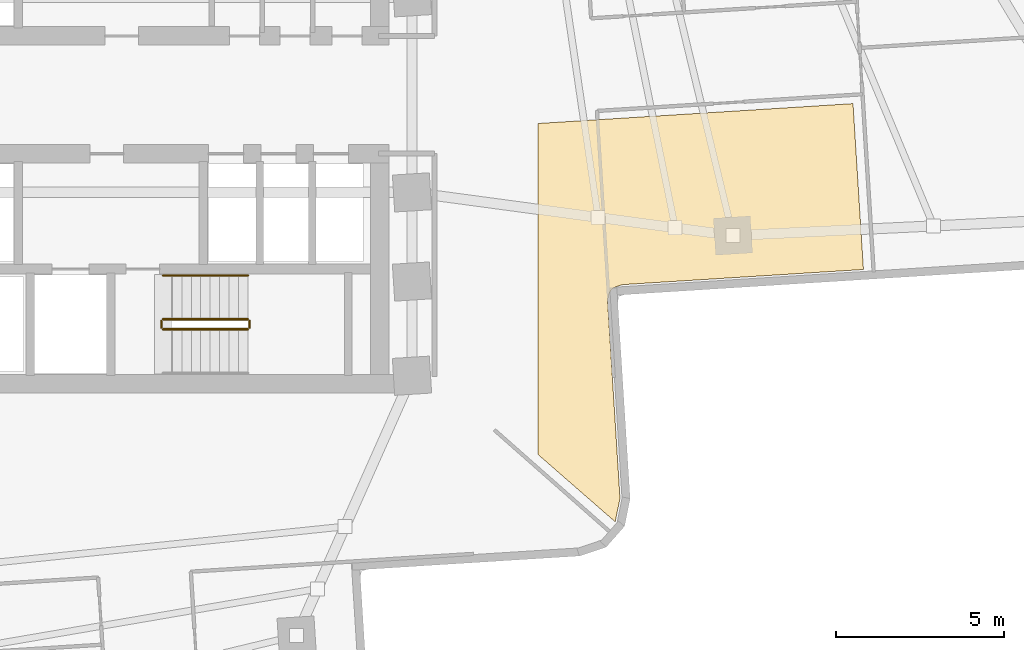
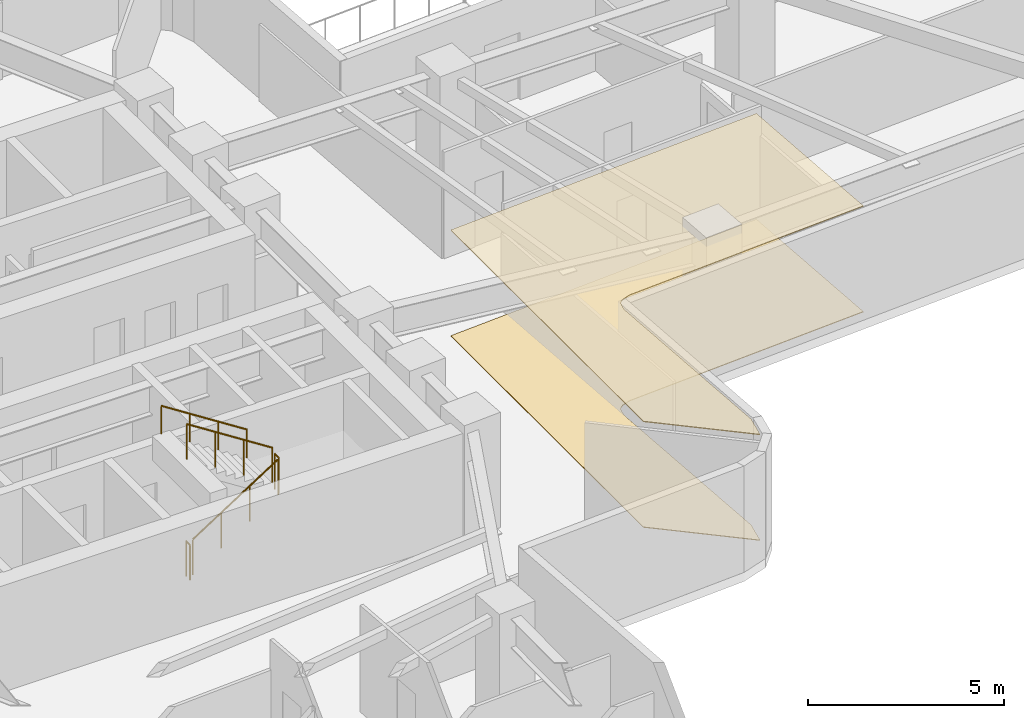
# One storey, part 14 of 16: 5 railings, 2 coverings.
"""IFC4 building model written with IfcOpenShell, lengths in metres."""

import ifcopenshell
import ifcopenshell.guid

model = None  # the IFC model being written
_history = None  # IfcOwnerHistory: only IFC2X3 demands one
_inside = {}  # id of a spatial element -> (the spatial element, [elements in it])
_under = {}  # id of a project, library or spatial element -> (it, [spatial elements below it])
_declared = {}  # id of a project -> (the project, [libraries it declares])
_typed = {}  # id of a type object -> (the type object, [elements of that type])
_made_of = {}  # id of a material, layer set ... -> (it, [elements and type objects made of it])


def new_model(schema):
    """Start an empty IFC model of exactly this schema.

    Asked for "IFC4X3", IfcOpenShell would pick the latest addendum, in which some entities
    have other attributes; the version numbers below select the first issue.
    IFC2X3 requires an IfcOwnerHistory on every rooted entity: one is made here for all.
    """
    global model, _history
    if schema == "IFC4X3":
        model = ifcopenshell.file(schema_version=(4, 3, 0, 0))
    else:
        model = ifcopenshell.file(schema=schema)
    _inside.clear()
    _under.clear()
    _declared.clear()
    _typed.clear()
    _made_of.clear()
    _history = None
    if model.schema == "IFC2X3":
        org = make("IfcOrganization", Name="unknown")
        user = make(
            "IfcPersonAndOrganization",
            ThePerson=make("IfcPerson", FamilyName="unknown"),
            TheOrganization=org,
        )
        app = make(
            "IfcApplication",
            ApplicationDeveloper=org,
            Version="unknown",
            ApplicationFullName="unknown",
            ApplicationIdentifier="unknown",
        )
        _history = make(
            "IfcOwnerHistory",
            OwningUser=user,
            OwningApplication=app,
            ChangeAction="ADDED",
            CreationDate=0,
        )
    return model


def make(cls, **values):
    """One entity of the class cls with the attributes given. An attribute that is None is left unset."""
    return model.create_entity(
        cls, **{name: value for name, value in values.items() if value is not None}
    )


def rooted(cls, **values):
    """An entity with a GlobalId (a new one), such as an element, a storey or a relation."""
    return make(cls, GlobalId=ifcopenshell.guid.new(), OwnerHistory=_history, **values)


def si_unit(unit_type, name, prefix=None):
    """IfcSIUnit, for example si_unit("LENGTHUNIT", "METRE", prefix="MILLI")."""
    return make("IfcSIUnit", UnitType=unit_type, Prefix=prefix, Name=name)


def assignment(units):
    """IfcUnitAssignment: the units of a project."""
    return None if units is None else make("IfcUnitAssignment", Units=units)


def point(xyz):
    """IfcCartesianPoint."""
    return None if xyz is None else make("IfcCartesianPoint", Coordinates=xyz)


def direction(xyz):
    """IfcDirection."""
    return None if xyz is None else make("IfcDirection", DirectionRatios=xyz)


def frame(location, z_axis=None, x_axis=None):
    """IfcAxis2Placement3D, a coordinate frame: its origin and axes. An axis left out is left unset."""
    return make(
        "IfcAxis2Placement3D",
        Location=point(location),
        Axis=direction(z_axis),
        RefDirection=direction(x_axis),
    )


def frame_2d(location, x_axis=None):
    """IfcAxis2Placement2D, a coordinate frame in the plane: its origin and x axis."""
    return make(
        "IfcAxis2Placement2D", Location=point(location), RefDirection=direction(x_axis)
    )


def origin():
    """The frame at (0, 0, 0) with its axes left unset."""
    return frame((0.0, 0.0, 0.0))


def origin_2d():
    """The frame at (0, 0) in the plane with its x axis left unset."""
    return frame_2d((0.0, 0.0))


def place(relative_to, where):
    """IfcLocalPlacement: puts the frame where relative to a parent placement (None: the world)."""
    return make(
        "IfcLocalPlacement", PlacementRelTo=relative_to, RelativePlacement=where
    )


def context(
    kind, dimensions, precision=None, world=None, true_north=None, identifier=None
):
    """IfcGeometricRepresentationContext, for example the 3D "Model" context."""
    return make(
        "IfcGeometricRepresentationContext",
        ContextIdentifier=identifier,
        ContextType=kind,
        CoordinateSpaceDimension=dimensions,
        Precision=precision,
        WorldCoordinateSystem=world,
        TrueNorth=true_north,
    )


def subcontext(parent, identifier, kind, view, scale=None):
    """IfcGeometricRepresentationSubContext, for example "Body" below "Model"."""
    return make(
        "IfcGeometricRepresentationSubContext",
        ContextIdentifier=identifier,
        ContextType=kind,
        ParentContext=parent,
        TargetScale=scale,
        TargetView=view,
    )


def project(units=None, contexts=None):
    """IfcProject with its units and contexts."""
    return rooted(
        "IfcProject",
        Name="project",
        RepresentationContexts=contexts,
        UnitsInContext=assignment(units),
    )


def spatial(cls, under=None, at=None, **own):
    """A site, building, storey or space (cls), placed at a placement, below another one or the project."""
    s = rooted(cls, ObjectPlacement=at, **own)
    if under is not None:
        _under.setdefault(under.id(), (under, []))[1].append(s)
    return s


def polyline(points):
    """IfcPolyline through the points."""
    return make("IfcPolyline", Points=[point(p) for p in points])


def profile(cls, at=None, kind="AREA", **sizes):
    """A parametric profile (cls). Its sizes go by their IFC names, for example OverallWidth=200.0."""
    return make(cls, ProfileType=kind, Position=at, **sizes)


def circle(**sizes):
    """IfcCircleProfileDef."""
    return profile("IfcCircleProfileDef", **sizes)


def outline(outer, holes=None, kind="AREA"):
    """IfcArbitraryClosedProfileDef: a profile drawn as a closed curve; with holes, ...WithVoids."""
    if holes is None:
        return make("IfcArbitraryClosedProfileDef", ProfileType=kind, OuterCurve=outer)
    return make(
        "IfcArbitraryProfileDefWithVoids",
        ProfileType=kind,
        OuterCurve=outer,
        InnerCurves=holes,
    )


def extrude(swept, where, along, depth):
    """IfcExtrudedAreaSolid: the profile swept, set in the frame where, extruded along a direction by depth."""
    return make(
        "IfcExtrudedAreaSolid",
        SweptArea=swept,
        Position=where,
        ExtrudedDirection=direction(along),
        Depth=depth,
    )


def shape(context_of_items, identifier, shape_type, items):
    """IfcShapeRepresentation: the items that make up one representation, for example the "Body"."""
    return make(
        "IfcShapeRepresentation",
        ContextOfItems=context_of_items,
        RepresentationIdentifier=identifier,
        RepresentationType=shape_type,
        Items=items,
    )


def material(Name=None, Category=None):
    """IfcMaterial."""
    return make("IfcMaterial", Name=Name, Category=Category)


def layer(
    of_material, thickness, ventilated=None, Name=None, Category=None, Priority=None
):
    """IfcMaterialLayer: one layer of a wall or slab, of a material (None: an air gap)."""
    return make(
        "IfcMaterialLayer",
        Material=of_material,
        LayerThickness=thickness,
        IsVentilated=ventilated,
        Name=Name,
        Category=Category,
        Priority=Priority,
    )


def layer_set(layers, Name=None):
    """IfcMaterialLayerSet."""
    return make("IfcMaterialLayerSet", MaterialLayers=layers, LayerSetName=Name)


def made_of(thing, what):
    """Note that an element or type object is made of a material, layer set ...; save() writes the relation."""
    if what is not None:
        _made_of.setdefault(what.id(), (what, []))[1].append(thing)
    return thing


def type_object(cls, material=None, **own):
    """A type object (cls), such as IfcWallType, which elements share."""
    return made_of(rooted(cls, **own), material)


def element(
    cls,
    number,
    at=None,
    inside=None,
    cuts=None,
    type_object=None,
    material=None,
    context=None,
    identifier="Body",
    shape_type=None,
    held_by="IfcProductDefinitionShape",
    body=None,
    shapes=None,
    **own,
):
    """One element of the class cls, such as IfcWall. Its Tag is "e" and its number.

    at: its placement. inside: the storey or other place that contains it. cuts: it is an
    opening in that element (IfcRelVoidsElement). A single representation is given by context,
    identifier, shape_type and body (its items); several are given by shapes. held_by: the class
    of the entity that holds the representations. save() writes the other relations.
    """
    e = rooted(cls, Tag="e%d" % number, ObjectPlacement=at, **own)
    if body is not None:
        shapes = [shape(context, identifier, shape_type, body)]
    if shapes is not None:
        e.Representation = make(held_by, Representations=shapes)
    if inside is not None:
        _inside.setdefault(inside.id(), (inside, []))[1].append(e)
    if cuts is not None:
        rooted(
            "IfcRelVoidsElement", RelatingBuildingElement=cuts, RelatedOpeningElement=e
        )
    if type_object is not None:
        _typed.setdefault(type_object.id(), (type_object, []))[1].append(e)
    return made_of(e, material)


def aggregate(whole, parts):
    """IfcRelAggregates: a whole, such as a stair, and the parts it consists of."""
    return rooted("IfcRelAggregates", RelatingObject=whole, RelatedObjects=parts)


def save(model, path):
    """Write the relations noted so far, then the file.

    IfcRelAggregates (storeys below a building ...), IfcRelContainedInSpatialStructure (elements
    in a storey), IfcRelDefinesByType, IfcRelAssociatesMaterial and IfcRelDeclares: one each for
    every whole, place, type object, material and project.
    """
    for whole, parts in _under.values():
        aggregate(whole, parts)
    for where, things in _inside.values():
        rooted(
            "IfcRelContainedInSpatialStructure",
            RelatedElements=things,
            RelatingStructure=where,
        )
    for kind, things in _typed.values():
        rooted("IfcRelDefinesByType", RelatedObjects=things, RelatingType=kind)
    for what, things in _made_of.values():
        rooted("IfcRelAssociatesMaterial", RelatedObjects=things, RelatingMaterial=what)
    for by, libraries in _declared.values():
        rooted("IfcRelDeclares", RelatingContext=by, RelatedDefinitions=libraries)
    model.write(path)


model = new_model("IFC4")

# Units and contexts
model_context = context("Model", 3, precision=1e-05, world=origin(), true_north=direction((0.0, 1.0)))
body_context = subcontext(model_context, "Body", "Model", "MODEL_VIEW")
ifc_project = project(units=[si_unit("LENGTHUNIT", "METRE"), si_unit("AREAUNIT", "SQUARE_METRE"), si_unit("VOLUMEUNIT", "CUBIC_METRE"), si_unit("PLANEANGLEUNIT", "RADIAN"), si_unit("MASSUNIT", "GRAM", prefix="KILO")], contexts=[model_context])

# Site, building, storey
site_placement = place(None, origin())
site = spatial("IfcSite", under=ifc_project, at=site_placement, CompositionType="ELEMENT")
building_placement = place(site_placement, origin())
building = spatial("IfcBuilding", under=site, at=building_placement, Name="Solmarez Civic Tower", CompositionType="ELEMENT")
storey_placement = place(building_placement, frame((0.0, 0.0, 53.280029296875)))
storey = spatial("IfcBuildingStorey", under=building, at=storey_placement, Name="L13", CompositionType="ELEMENT", Elevation=53.280029296875)

# Coverings
ifc_material_1 = material(Name="Perforated Mineral-Fibre Acoustic Ceiling")
ifc_layer_1 = layer(ifc_material_1, 0.02490234375)
ifc_layer_set_1 = layer_set([ifc_layer_1], Name="Perforated Mineral-Fibre Acoustic Ceiling")
covering_type_1 = type_object("IfcCoveringType", Name="COV-CEIL-ACOUSTIC", PredefinedType="CEILING", material=ifc_layer_set_1)
covering_1_placement = place(storey_placement, frame((0.0, 0.0, 3.294921875)))
element("IfcCovering", 1, at=covering_1_placement, inside=storey, type_object=covering_type_1, Name="L13 Suspended Acoustic Ceiling 1", PredefinedType="CEILING", context=body_context, shape_type="SweptSolid", body=[
    extrude(outline(polyline([(12.60009765625, -0.85107421875), (12.60009765625, -10.695068359375), (14.887939453125, -12.68994140625), (14.89306640625, -12.68408203125), (15.032958984375, -11.989990234375), (14.6669921875, -6.181884765625), (14.6669921875, -6.16796875), (14.6669921875, -6.154052734375), (14.6689453125, -6.123046875), (14.669921875, -6.115966796875), (14.672119140625, -6.10302734375), (14.7060546875, -5.93505859375), (14.708984375, -5.926025390625), (14.7109375, -5.91796875), (14.7119140625, -5.910888671875), (14.714111328125, -5.904052734375), (14.722900390625, -5.87890625), (14.735107421875, -5.85498046875), (14.739013671875, -5.847900390625), (14.7470703125, -5.8349609375), (14.757080078125, -5.818115234375), (14.76904296875, -5.802978515625), (14.781982421875, -5.7880859375), (14.787109375, -5.782958984375), (14.802001953125, -5.77001953125), (14.81396484375, -5.760009765625), (14.8330078125, -5.74609375), (14.839111328125, -5.741943359375), (14.85205078125, -5.73388671875), (14.85888671875, -5.72998046875), (14.883056640625, -5.718017578125), (14.909912109375, -5.708984375), (15.068115234375, -5.656005859375), (15.077880859375, -5.652099609375), (15.092041015625, -5.64794921875), (15.111083984375, -5.64404296875), (15.132080078125, -5.64111328125), (15.14892578125, -5.639892578125), (22.27001953125, -5.19189453125), (21.9599609375, -0.260986328125), (12.60009765625, -0.85107421875)])), origin(), (0.0, 0.0, 1.0), 0.025146484375),
])
ifc_material_2 = material(Name="Polished Tropical Stone Terrazzo Flooring", Category="masonry")
ifc_layer_2 = layer(ifc_material_2, 0.02001953125)
ifc_layer_set_2 = layer_set([ifc_layer_2], Name="Polished Tropical Stone Terrazzo Flooring")
covering_type_2 = type_object("IfcCoveringType", Name="COV-FLOOR-TERRAZZO", PredefinedType="FLOORING", material=ifc_layer_set_2)
covering_2_placement = place(storey_placement, origin())
element("IfcCovering", 2, at=covering_2_placement, inside=storey, type_object=covering_type_2, Name="L13 Terrazzo Floor Finish 1", PredefinedType="FLOORING", context=body_context, shape_type="SweptSolid", body=[
    extrude(outline(polyline([(12.60009765625, -0.85107421875), (12.60009765625, -10.695068359375), (14.887939453125, -12.68994140625), (14.89306640625, -12.68408203125), (15.032958984375, -11.989990234375), (14.6669921875, -6.181884765625), (14.6669921875, -6.16796875), (14.6669921875, -6.154052734375), (14.6689453125, -6.123046875), (14.669921875, -6.115966796875), (14.672119140625, -6.10302734375), (14.7060546875, -5.93505859375), (14.708984375, -5.926025390625), (14.7109375, -5.91796875), (14.7119140625, -5.910888671875), (14.714111328125, -5.904052734375), (14.722900390625, -5.87890625), (14.735107421875, -5.85498046875), (14.739013671875, -5.847900390625), (14.7470703125, -5.8349609375), (14.757080078125, -5.818115234375), (14.76904296875, -5.802978515625), (14.781982421875, -5.7880859375), (14.787109375, -5.782958984375), (14.802001953125, -5.77001953125), (14.81396484375, -5.760009765625), (14.8330078125, -5.74609375), (14.839111328125, -5.741943359375), (14.85205078125, -5.73388671875), (14.85888671875, -5.72998046875), (14.883056640625, -5.718017578125), (14.909912109375, -5.708984375), (15.068115234375, -5.656005859375), (15.077880859375, -5.652099609375), (15.092041015625, -5.64794921875), (15.111083984375, -5.64404296875), (15.132080078125, -5.64111328125), (15.14892578125, -5.639892578125), (22.27001953125, -5.19189453125), (21.9599609375, -0.260986328125), (12.60009765625, -0.85107421875)])), origin(), (0.0, 0.0, 1.0), 0.02001953125),
])

# Railings
ifc_material_3 = material(Name="Painted Steel Stairwell Safety Guard", Category="steel")
railing_type_1 = type_object("IfcRailingType", Name="GUARD-STAIR-1120", PredefinedType="BALUSTRADE", material=ifc_material_3)
railing_1_placement = place(storey_placement, frame((1.449951171875, -6.969970703125, 0.179931640625)))
element("IfcRailing", 3, at=railing_1_placement, inside=storey, type_object=railing_type_1, Name="L13 ST-2 stair guard 1", PredefinedType="BALUSTRADE", context=body_context, shape_type="SweptSolid", body=[
    extrude(circle(Radius=0.02392578125, at=origin_2d()), frame((0.0, 0.0, 1.09619140625), z_axis=(0.841162588446, 0.0, 0.540782303519), x_axis=(0.0, 1.0, 0.0)), (0.0, 0.0, 1.0), 2.995849609375),
    extrude(circle(Radius=0.02099609375, at=origin_2d()), origin(), (0.0, 0.0, 1.0), 1.072021484375),
    extrude(circle(Radius=0.02099609375, at=origin_2d()), frame((0.840087890625, 0.0, 0.5400390625)), (0.0, 0.0, 1.0), 1.072021484375),
    extrude(circle(Radius=0.02099609375, at=origin_2d()), frame((1.679931640625, 0.0, 1.080078125)), (0.0, 0.0, 1.0), 1.072021484375),
    extrude(circle(Radius=0.02099609375, at=origin_2d()), frame((2.52001953125, 0.0, 1.6201171875)), (0.0, 0.0, 1.0), 1.072021484375),
])
railing_2_placement = place(storey_placement, frame((4.02001953125, -6.919921875, 1.800048828125)))
element("IfcRailing", 4, at=railing_2_placement, inside=storey, type_object=railing_type_1, Name="L13 ST-2 stair guard 2", PredefinedType="BALUSTRADE", context=body_context, shape_type="SweptSolid", body=[
    extrude(circle(Radius=0.02392578125, at=origin_2d()), frame((0.0, 0.0, 1.09619140625), z_axis=(0.0, 1.0, 0.0), x_axis=(-1.0, 0.0, 0.0)), (0.0, 0.0, 1.0), 0.199951171875),
    extrude(circle(Radius=0.02099609375, at=origin_2d()), origin(), (0.0, 0.0, 1.0), 1.072021484375),
    extrude(circle(Radius=0.02099609375, at=origin_2d()), frame((0.0, 0.199951171875, 0.0)), (0.0, 0.0, 1.0), 1.072021484375),
])
railing_3_placement = place(storey_placement, frame((3.969970703125, -6.669921875, 1.97998046875)))
element("IfcRailing", 5, at=railing_3_placement, inside=storey, type_object=railing_type_1, Name="L13 ST-2 stair guard 3", PredefinedType="BALUSTRADE", context=body_context, shape_type="SweptSolid", body=[
    extrude(circle(Radius=0.02392578125, at=origin_2d()), frame((0.0, 0.0, 1.09619140625), z_axis=(-0.841199657755, 0.0, 0.540724639528), x_axis=(0.0, -1.0, 0.0)), (0.0, 0.0, 1.0), 2.995849609375),
    extrude(circle(Radius=0.02099609375, at=origin_2d()), origin(), (0.0, 0.0, 1.0), 1.072021484375),
    extrude(circle(Radius=0.02099609375, at=origin_2d()), frame((-0.840087890625, 0.0, 0.5400390625)), (0.0, 0.0, 1.0), 1.072021484375),
    extrude(circle(Radius=0.02099609375, at=origin_2d()), frame((-1.679931640625, 0.0, 1.079833984375)), (0.0, 0.0, 1.0), 1.072021484375),
    extrude(circle(Radius=0.02099609375, at=origin_2d()), frame((-2.52001953125, 0.0, 1.619873046875)), (0.0, 0.0, 1.0), 1.072021484375),
])
railing_4_placement = place(storey_placement, frame((1.39990234375, -6.919921875, 0.0)))
element("IfcRailing", 6, at=railing_4_placement, inside=storey, type_object=railing_type_1, Name="L13 ST-2 stair guard 4", PredefinedType="BALUSTRADE", context=body_context, shape_type="SweptSolid", body=[
    extrude(circle(Radius=0.02392578125, at=origin_2d()), frame((0.0, 0.0, 1.09619140625), z_axis=(0.0, 1.0, 0.0), x_axis=(-1.0, 0.0, 0.0)), (0.0, 0.0, 1.0), 0.199951171875),
    extrude(circle(Radius=0.02099609375, at=origin_2d()), origin(), (0.0, 0.0, 1.0), 1.072021484375),
    extrude(circle(Radius=0.02099609375, at=origin_2d()), frame((0.0, 0.199951171875, 0.0)), (0.0, 0.0, 1.0), 1.072021484375),
])
ifc_material_4 = material(Name="Brushed Stainless Steel Tube Handrail", Category="steel")
railing_type_2 = type_object("IfcRailingType", Name="HANDRAIL-STAIR-900", PredefinedType="HANDRAIL", material=ifc_material_4)
railing_5_placement = place(storey_placement, frame((3.969970703125, -5.3701171875, 1.97998046875)))
element("IfcRailing", 7, at=railing_5_placement, inside=storey, type_object=railing_type_2, Name="L13 ST-2 stair handrail 2", PredefinedType="HANDRAIL", context=body_context, shape_type="SweptSolid", body=[
    extrude(circle(Radius=0.02392578125, at=origin_2d()), frame((0.0, 0.0, 0.8759765625), z_axis=(-0.841199657755, 0.0, 0.540724639528), x_axis=(0.0, -1.0, 0.0)), (0.0, 0.0, 1.0), 2.995849609375),
    extrude(circle(Radius=0.02099609375, at=origin_2d()), origin(), (0.0, 0.0, 1.0), 0.851806640625),
    extrude(circle(Radius=0.02099609375, at=origin_2d()), frame((-0.840087890625, 0.0, 0.5400390625)), (0.0, 0.0, 1.0), 0.851806640625),
    extrude(circle(Radius=0.02099609375, at=origin_2d()), frame((-1.679931640625, 0.0, 1.079833984375)), (0.0, 0.0, 1.0), 0.851806640625),
    extrude(circle(Radius=0.02099609375, at=origin_2d()), frame((-2.52001953125, 0.0, 1.619873046875)), (0.0, 0.0, 1.0), 0.851806640625),
])

save(model, "model.ifc")
